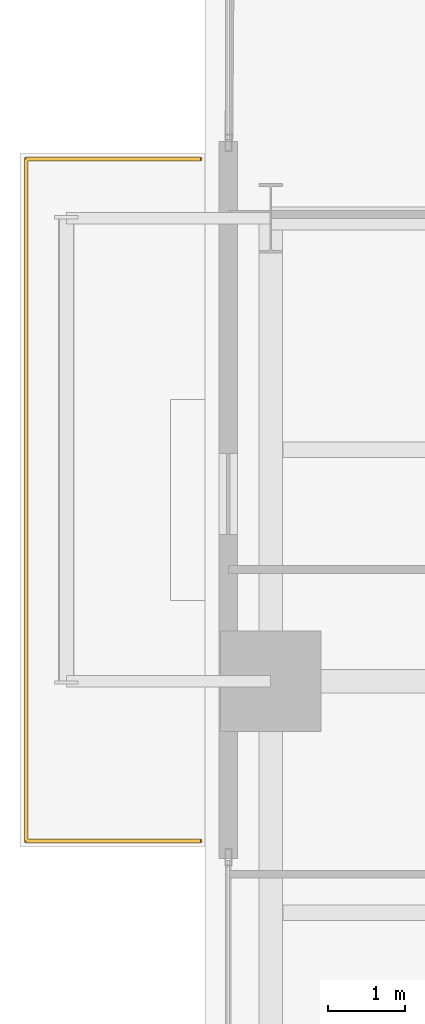
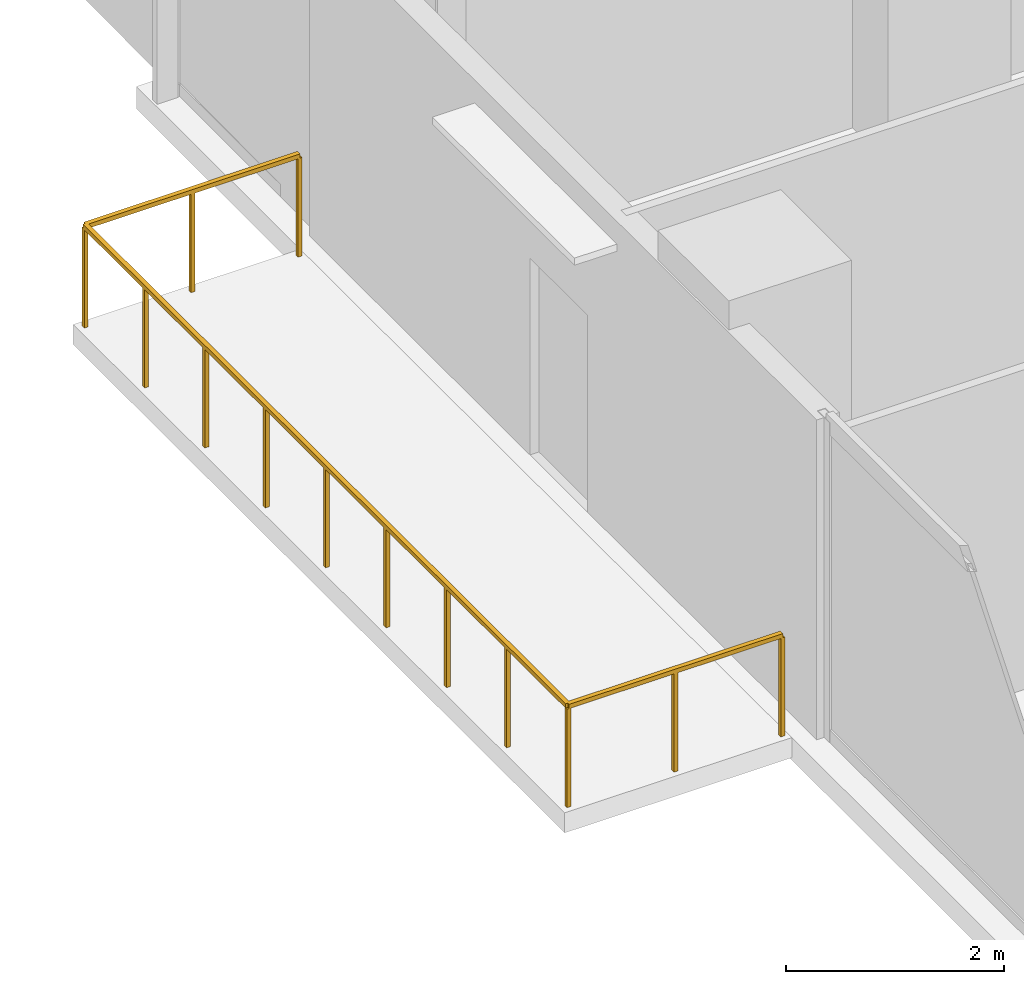
# One storey, part 27 of 27: 1 railing.
"""IFC4 building model written with IfcOpenShell, lengths in metres."""

from ifc_helpers import new_model, si_unit, direction, frame, origin, origin_2d, place, context, subcontext, project, spatial, rectangle, extrude, material, type_object, element, save


model = new_model("IFC4")

# Units and contexts
model_context = context("Model", 3, precision=1e-05, world=origin(), true_north=direction((0.0, 1.0)))
body_context = subcontext(model_context, "Body", "Model", "MODEL_VIEW")
ifc_project = project(units=[si_unit("LENGTHUNIT", "METRE"), si_unit("AREAUNIT", "SQUARE_METRE"), si_unit("VOLUMEUNIT", "CUBIC_METRE"), si_unit("PLANEANGLEUNIT", "RADIAN"), si_unit("MASSUNIT", "GRAM", prefix="KILO"), si_unit("THERMODYNAMICTEMPERATUREUNIT", "KELVIN"), si_unit("POWERUNIT", "WATT")], contexts=[model_context])

# Site, building, storey
site_placement = place(None, origin())
site = spatial("IfcSite", under=ifc_project, at=site_placement, CompositionType="ELEMENT")
building_placement = place(site_placement, origin())
building = spatial("IfcBuilding", under=site, at=building_placement, Name="Svarakhadi Broadcast Tower", CompositionType="ELEMENT")
storey_placement = place(building_placement, frame((0.0, 0.0, 90.89990234375)))
storey = spatial("IfcBuildingStorey", under=building, at=storey_placement, Name="L21", CompositionType="ELEMENT", Elevation=90.89990234375)

# Railing
ifc_material = material(Name="Laminated Structural SentryGlas Balustrade 25.5 mm", Category="glass")
railing_type = type_object("IfcRailingType", Name="Guard_Balcony_GR01", PredefinedType="BALUSTRADE", material=ifc_material)
railing_placement = place(storey_placement, frame((-0.06005859375, 33.080078125, 0.0)))
element("IfcRailing", 1, at=railing_placement, inside=storey, type_object=railing_type, Name="L21 West Tree Balcony Guard GR-05", PredefinedType="BALUSTRADE", context=body_context, shape_type="SweptSolid", body=[
    extrude(rectangle(XDim=0.048095703125, YDim=0.048095703125, at=origin_2d()), frame((0.0, 0.0, 1.1259765625), z_axis=(-1.0, 0.0, 0.0), x_axis=(0.0, -1.0, 0.0)), (0.0, 0.0, 1.0), 2.260009765625),
    extrude(rectangle(XDim=0.048095703125, YDim=0.048095703125, at=origin_2d()), frame((-2.260009765625, 0.0, 1.1259765625), z_axis=(0.0, 1.0, 0.0), x_axis=(-1.0, 0.0, 0.0)), (0.0, 0.0, 1.0), 8.83984375),
    extrude(rectangle(XDim=0.048095703125, YDim=0.048095703125, at=origin_2d()), frame((-2.260009765625, 8.83984375, 1.1259765625), z_axis=(1.0, 0.0, 0.0), x_axis=(0.0, 1.0, 0.0)), (0.0, 0.0, 1.0), 2.260009765625),
    extrude(rectangle(XDim=0.0419921875, YDim=0.0419921875, at=origin_2d()), origin(), (0.0, 0.0, 1.0), 1.101806640625),
    extrude(rectangle(XDim=0.0419921875, YDim=0.0419921875, at=origin_2d()), frame((-1.1298828125, 0.0, 0.0)), (0.0, 0.0, 1.0), 1.101806640625),
    extrude(rectangle(XDim=0.0419921875, YDim=0.0419921875, at=origin_2d()), frame((-2.260009765625, 0.0, 0.0)), (0.0, 0.0, 1.0), 1.101806640625),
    extrude(rectangle(XDim=0.0419921875, YDim=0.0419921875, at=origin_2d()), frame((-2.260009765625, 1.10498046875, 0.0)), (0.0, 0.0, 1.0), 1.101806640625),
    extrude(rectangle(XDim=0.0419921875, YDim=0.0419921875, at=origin_2d()), frame((-2.260009765625, 2.2099609375, 0.0)), (0.0, 0.0, 1.0), 1.101806640625),
    extrude(rectangle(XDim=0.0419921875, YDim=0.0419921875, at=origin_2d()), frame((-2.260009765625, 3.31494140625, 0.0)), (0.0, 0.0, 1.0), 1.101806640625),
    extrude(rectangle(XDim=0.0419921875, YDim=0.0419921875, at=origin_2d()), frame((-2.260009765625, 4.419921875, 0.0)), (0.0, 0.0, 1.0), 1.101806640625),
    extrude(rectangle(XDim=0.0419921875, YDim=0.0419921875, at=origin_2d()), frame((-2.260009765625, 5.52490234375, 0.0)), (0.0, 0.0, 1.0), 1.101806640625),
    extrude(rectangle(XDim=0.0419921875, YDim=0.0419921875, at=origin_2d()), frame((-2.260009765625, 6.6298828125, 0.0)), (0.0, 0.0, 1.0), 1.101806640625),
    extrude(rectangle(XDim=0.0419921875, YDim=0.0419921875, at=origin_2d()), frame((-2.260009765625, 7.73486328125, 0.0)), (0.0, 0.0, 1.0), 1.101806640625),
    extrude(rectangle(XDim=0.0419921875, YDim=0.0419921875, at=origin_2d()), frame((-2.260009765625, 8.83984375, 0.0)), (0.0, 0.0, 1.0), 1.101806640625),
    extrude(rectangle(XDim=0.0419921875, YDim=0.0419921875, at=origin_2d()), frame((-1.1298828125, 8.83984375, 0.0)), (0.0, 0.0, 1.0), 1.101806640625),
    extrude(rectangle(XDim=0.0419921875, YDim=0.0419921875, at=origin_2d()), frame((0.0, 8.83984375, 0.0)), (0.0, 0.0, 1.0), 1.101806640625),
])

save(model, "model.ifc")
